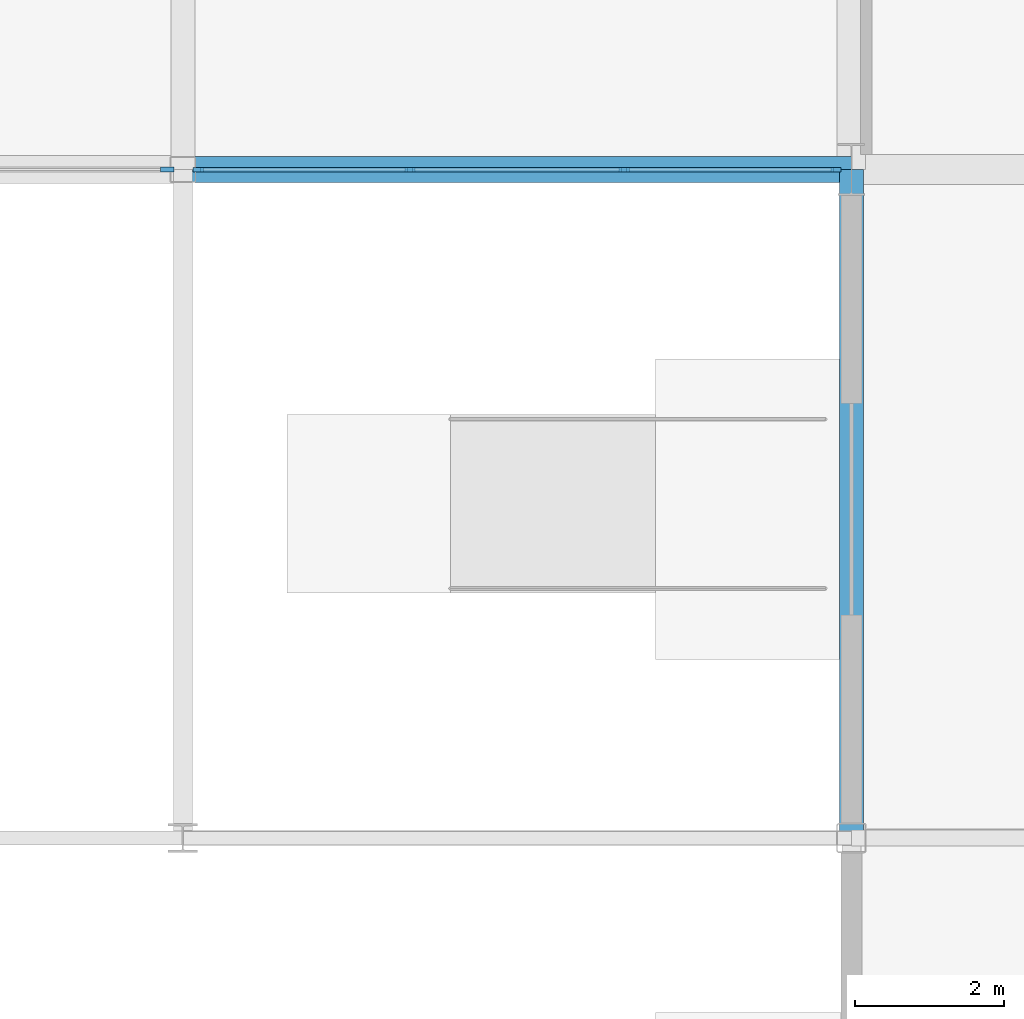
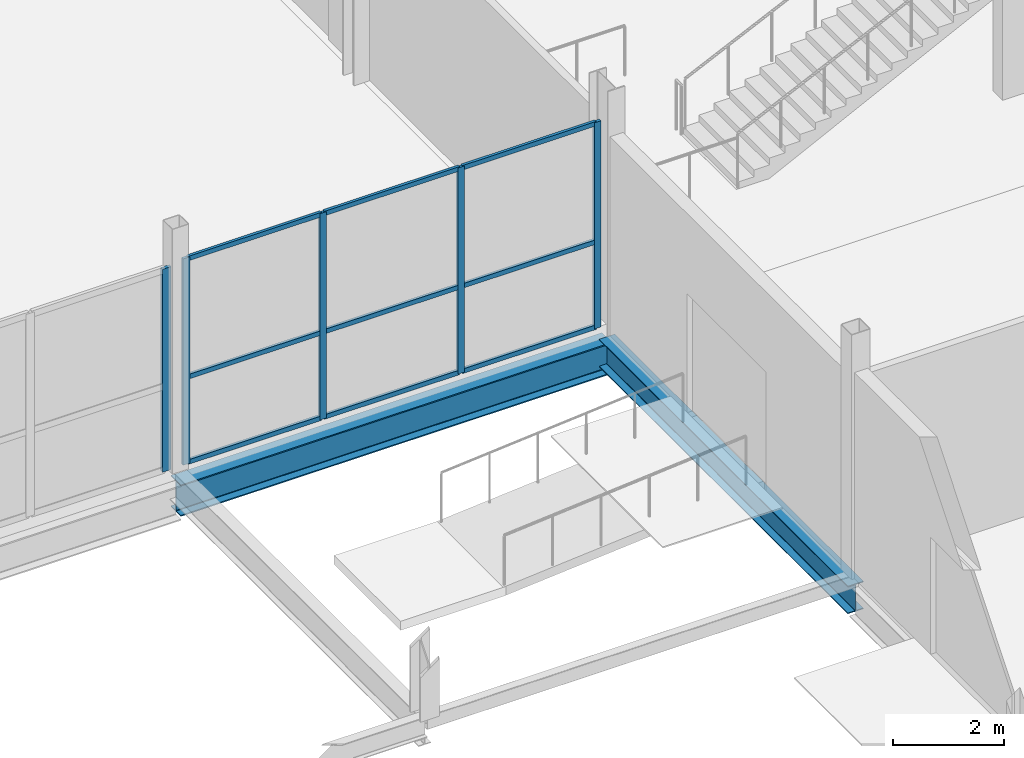
# One storey, part 31 of 94: 14 members, 2 beams, 2 elements without a shape of their own.
"""IFC4 building model written with IfcOpenShell, lengths in metres."""

from ifc_helpers import new_model, si_unit, direction, frame, origin, origin_2d, place, context, subcontext, project, spatial, rectangle, i_section, extrude, material, layer, layer_set, material_profile, profile_set, type_object, element, aggregate, save


model = new_model("IFC4")

# Units and contexts
model_context = context("Model", 3, precision=1e-05, world=origin(), true_north=direction((0.0, 1.0)))
body_context = subcontext(model_context, "Body", "Model", "MODEL_VIEW")
ifc_project = project(units=[si_unit("LENGTHUNIT", "METRE"), si_unit("AREAUNIT", "SQUARE_METRE"), si_unit("VOLUMEUNIT", "CUBIC_METRE"), si_unit("PLANEANGLEUNIT", "RADIAN"), si_unit("MASSUNIT", "GRAM", prefix="KILO")], contexts=[model_context])

# Site, building, storey
site_placement = place(None, origin())
site = spatial("IfcSite", under=ifc_project, at=site_placement, CompositionType="ELEMENT")
building_placement = place(site_placement, origin())
building = spatial("IfcBuilding", under=site, at=building_placement, Name="Qamarlyn Nura Convention Centre", CompositionType="ELEMENT")
storey_placement = place(building_placement, origin())
storey = spatial("IfcBuildingStorey", under=building, at=storey_placement, Name="L00", CompositionType="ELEMENT", Elevation=0.0)

# Beams
ifc_material_1 = material(Name="Steel ASTM A992", Category="steel")
ifc_material_profile_1 = material_profile(ifc_material_1, i_section(OverallWidth=0.323974609375, OverallDepth=0.611083984375, WebThickness=0.0126953125, FlangeThickness=0.01904296875, FilletRadius=0.01611328125, at=origin_2d()), Name="W610X155")
ifc_profile_set_1 = profile_set([ifc_material_profile_1], Name="Steel ASTM A992")
beam_type_1 = type_object("IfcBeamType", Name="BM-GIRD-610", PredefinedType="BEAM", material=ifc_profile_set_1)
beam_1_placement = place(storey_placement, frame((153.0, 18.0, -0.58544921875), z_axis=(0.0, 1.0, 0.0), x_axis=(-1.0, 0.0, 0.0)))
element("IfcBeam", 1, at=beam_1_placement, inside=storey, type_object=beam_type_1, Name="L00 girder 13 C-D", PredefinedType="BEAM", context=body_context, shape_type="SweptSolid", body=[
    extrude(i_section(OverallWidth=0.323974609375, OverallDepth=0.611083984375, WebThickness=0.0126953125, FlangeThickness=0.01904296875, FilletRadius=0.01611328125, at=origin_2d()), origin(), (0.0, 0.0, 1.0), 9.0),
])
ifc_material_profile_2 = material_profile(ifc_material_1, i_section(OverallWidth=0.35498046875, OverallDepth=0.695068359375, WebThickness=0.015380859375, FlangeThickness=0.02490234375, FilletRadius=0.01806640625, at=origin_2d()), Name="W690X217")
ifc_profile_set_2 = profile_set([ifc_material_profile_2], Name="Steel ASTM A992")
beam_type_2 = type_object("IfcBeamType", Name="BM-GIRD-690A", PredefinedType="BEAM", material=ifc_profile_set_2)
beam_2_placement = place(storey_placement, frame((144.0, 27.0, -0.6474609375), z_axis=(1.0, 0.0, 0.0), x_axis=(0.0, 1.0, 0.0)))
element("IfcBeam", 2, at=beam_2_placement, inside=storey, type_object=beam_type_2, Name="L00 girder D 12-13", PredefinedType="BEAM", context=body_context, shape_type="SweptSolid", body=[
    extrude(i_section(OverallWidth=0.35498046875, OverallDepth=0.695068359375, WebThickness=0.015380859375, FlangeThickness=0.02490234375, FilletRadius=0.01806640625, at=origin_2d()), origin(), (0.0, 0.0, 1.0), 9.0),
])

# Curtain wall, members
ifc_material_2 = material(Name="Double-silver low-E insulated glass", Category="glass")
ifc_layer_1 = layer(ifc_material_2, 0.179931640625, Name="CW-UNIT-59")
ifc_layer_set_1 = layer_set([ifc_layer_1], Name="Double-silver low-E insulated glass")
curtain_wall_type_1 = type_object("IfcCurtainWallType", Name="CW-UNIT-59", PredefinedType="NOTDEFINED", material=ifc_layer_set_1)
curtain_wall_1_placement = place(storey_placement, origin())
curtain_wall_1 = element("IfcCurtainWall", 3, at=curtain_wall_1_placement, inside=storey, type_object=curtain_wall_type_1, Name="L00 unitised curtain wall WSS-L00-1", PredefinedType="NOTDEFINED")
ifc_material_3 = material(Name="Champagne-anodised marine aluminium", Category="aluminium")
ifc_material_profile_3 = material_profile(ifc_material_3, rectangle(XDim=0.06005859375, YDim=0.139892578125, at=origin_2d()), Name="ALU MULLION 60x140")
ifc_profile_set_3 = profile_set([ifc_material_profile_3], Name="Champagne-anodised marine aluminium")
member_type_1 = type_object("IfcMemberType", Name="CWM-140", PredefinedType="MULLION", material=ifc_profile_set_3)
member_1_placement = place(storey_placement, frame((152.79248046875, 27.0, 0.0), z_axis=(0.0, 0.0, 1.0), x_axis=(0.0, -1.0, 0.0)))
member_1 = element("IfcMember", 4, at=member_1_placement, type_object=member_type_1, Name="CW59 mullion 1", PredefinedType="MULLION", context=body_context, shape_type="SweptSolid", body=[
    extrude(rectangle(XDim=0.06005859375, YDim=0.139892578125, at=origin_2d()), origin(), (0.0, 0.0, 1.0), 4.553955078125),
])
member_2_placement = place(storey_placement, frame((149.93994140625, 27.0, 0.0), z_axis=(0.0, 0.0, 1.0), x_axis=(0.0, -1.0, 0.0)))
member_2 = element("IfcMember", 5, at=member_2_placement, type_object=member_type_1, Name="CW59 mullion 2", PredefinedType="MULLION", context=body_context, shape_type="SweptSolid", body=[
    extrude(rectangle(XDim=0.06005859375, YDim=0.139892578125, at=origin_2d()), origin(), (0.0, 0.0, 1.0), 4.553955078125),
])
member_3_placement = place(storey_placement, frame((147.0576171875, 27.0, 0.0), z_axis=(0.0, 0.0, 1.0), x_axis=(0.0, -1.0, 0.0)))
member_3 = element("IfcMember", 6, at=member_3_placement, type_object=member_type_1, Name="CW59 mullion 3", PredefinedType="MULLION", context=body_context, shape_type="SweptSolid", body=[
    extrude(rectangle(XDim=0.06005859375, YDim=0.139892578125, at=origin_2d()), origin(), (0.0, 0.0, 1.0), 4.553955078125),
])
member_4_placement = place(storey_placement, frame((144.205078125, 27.0, 0.0), z_axis=(0.0, 0.0, 1.0), x_axis=(0.0, -1.0, 0.0)))
member_4 = element("IfcMember", 7, at=member_4_placement, type_object=member_type_1, Name="CW59 mullion 4", PredefinedType="MULLION", context=body_context, shape_type="SweptSolid", body=[
    extrude(rectangle(XDim=0.06005859375, YDim=0.139892578125, at=origin_2d()), origin(), (0.0, 0.0, 1.0), 4.553955078125),
])

# Curtain wall, member
ifc_layer_2 = layer(ifc_material_2, 0.179931640625, Name="CW-UNIT-60")
ifc_layer_set_2 = layer_set([ifc_layer_2], Name="Double-silver low-E insulated glass")
curtain_wall_type_2 = type_object("IfcCurtainWallType", Name="CW-UNIT-60", PredefinedType="NOTDEFINED", material=ifc_layer_set_2)
curtain_wall_2_placement = place(storey_placement, origin())
curtain_wall_2 = element("IfcCurtainWall", 8, at=curtain_wall_2_placement, inside=storey, type_object=curtain_wall_type_2, Name="L00 unitised curtain wall WSS-L00-2", PredefinedType="NOTDEFINED")
ifc_material_profile_4 = material_profile(ifc_material_3, rectangle(XDim=0.070068359375, YDim=0.179931640625, at=origin_2d()), Name="ALU MULLION 70x180")
ifc_profile_set_4 = profile_set([ifc_material_profile_4], Name="Champagne-anodised marine aluminium")
member_type_2 = type_object("IfcMemberType", Name="CWM-180", PredefinedType="MULLION", material=ifc_profile_set_4)
member_5_placement = place(storey_placement, frame((143.7900390625, 27.0, 0.0), z_axis=(0.0, 0.0, 1.0), x_axis=(0.0, -1.0, 0.0)))
member_5 = element("IfcMember", 9, at=member_5_placement, type_object=member_type_2, Name="CW60 mullion 1", PredefinedType="MULLION", context=body_context, shape_type="SweptSolid", body=[
    extrude(rectangle(XDim=0.070068359375, YDim=0.179931640625, at=origin_2d()), origin(), (0.0, 0.0, 1.0), 4.48095703125),
])
aggregate(curtain_wall_2, [member_5])

# Member
ifc_material_profile_5 = material_profile(ifc_material_3, rectangle(XDim=0.06005859375, YDim=0.10009765625, at=origin_2d()), Name="ALU TRANSOM 60x100")
ifc_profile_set_5 = profile_set([ifc_material_profile_5], Name="Champagne-anodised marine aluminium")
member_type_3 = type_object("IfcMemberType", Name="CWT-100", PredefinedType="USERDEFINED", material=ifc_profile_set_5)
member_6_placement = place(storey_placement, frame((152.762451171875, 27.0, 0.030029296875), z_axis=(-1.0, 0.0, 0.0), x_axis=(0.0, -1.0, 0.0)))
member_6 = element("IfcMember", 10, at=member_6_placement, type_object=member_type_3, Name="CW59 transom 1.1", ObjectType="TRANSOM", PredefinedType="USERDEFINED", context=body_context, shape_type="SweptSolid", body=[
    extrude(rectangle(XDim=0.06005859375, YDim=0.10009765625, at=origin_2d()), origin(), (0.0, 0.0, 1.0), 2.79248046875),
])

member_7_placement = place(storey_placement, frame((152.762451171875, 27.0, 1.9130859375), z_axis=(-1.0, 0.0, 0.0), x_axis=(0.0, -1.0, 0.0)))
member_7 = element("IfcMember", 11, at=member_7_placement, type_object=member_type_3, Name="CW59 transom 1.2", ObjectType="TRANSOM", PredefinedType="USERDEFINED", context=body_context, shape_type="SweptSolid", body=[
    extrude(rectangle(XDim=0.06005859375, YDim=0.10009765625, at=origin_2d()), origin(), (0.0, 0.0, 1.0), 2.79248046875),
])

member_8_placement = place(storey_placement, frame((152.762451171875, 27.0, 4.52392578125), z_axis=(-1.0, 0.0, 0.0), x_axis=(0.0, -1.0, 0.0)))
member_8 = element("IfcMember", 12, at=member_8_placement, type_object=member_type_3, Name="CW59 transom 1.3", ObjectType="TRANSOM", PredefinedType="USERDEFINED", context=body_context, shape_type="SweptSolid", body=[
    extrude(rectangle(XDim=0.06005859375, YDim=0.10009765625, at=origin_2d()), origin(), (0.0, 0.0, 1.0), 2.79248046875),
])

member_9_placement = place(storey_placement, frame((149.909912109375, 27.0, 0.030029296875), z_axis=(-1.0, 0.0, 0.0), x_axis=(0.0, -1.0, 0.0)))
member_9 = element("IfcMember", 13, at=member_9_placement, type_object=member_type_3, Name="CW59 transom 2.1", ObjectType="TRANSOM", PredefinedType="USERDEFINED", context=body_context, shape_type="SweptSolid", body=[
    extrude(rectangle(XDim=0.06005859375, YDim=0.10009765625, at=origin_2d()), origin(), (0.0, 0.0, 1.0), 2.822509765625),
])

member_10_placement = place(storey_placement, frame((149.909912109375, 27.0, 1.9130859375), z_axis=(-1.0, 0.0, 0.0), x_axis=(0.0, -1.0, 0.0)))
member_10 = element("IfcMember", 14, at=member_10_placement, type_object=member_type_3, Name="CW59 transom 2.2", ObjectType="TRANSOM", PredefinedType="USERDEFINED", context=body_context, shape_type="SweptSolid", body=[
    extrude(rectangle(XDim=0.06005859375, YDim=0.10009765625, at=origin_2d()), origin(), (0.0, 0.0, 1.0), 2.822509765625),
])

member_11_placement = place(storey_placement, frame((149.909912109375, 27.0, 4.52392578125), z_axis=(-1.0, 0.0, 0.0), x_axis=(0.0, -1.0, 0.0)))
member_11 = element("IfcMember", 15, at=member_11_placement, type_object=member_type_3, Name="CW59 transom 2.3", ObjectType="TRANSOM", PredefinedType="USERDEFINED", context=body_context, shape_type="SweptSolid", body=[
    extrude(rectangle(XDim=0.06005859375, YDim=0.10009765625, at=origin_2d()), origin(), (0.0, 0.0, 1.0), 2.822509765625),
])

member_12_placement = place(storey_placement, frame((147.027587890625, 27.0, 0.030029296875), z_axis=(-1.0, 0.0, 0.0), x_axis=(0.0, -1.0, 0.0)))
member_12 = element("IfcMember", 16, at=member_12_placement, type_object=member_type_3, Name="CW59 transom 3.1", ObjectType="TRANSOM", PredefinedType="USERDEFINED", context=body_context, shape_type="SweptSolid", body=[
    extrude(rectangle(XDim=0.06005859375, YDim=0.10009765625, at=origin_2d()), origin(), (0.0, 0.0, 1.0), 2.79248046875),
])

member_13_placement = place(storey_placement, frame((147.027587890625, 27.0, 1.9130859375), z_axis=(-1.0, 0.0, 0.0), x_axis=(0.0, -1.0, 0.0)))
member_13 = element("IfcMember", 17, at=member_13_placement, type_object=member_type_3, Name="CW59 transom 3.2", ObjectType="TRANSOM", PredefinedType="USERDEFINED", context=body_context, shape_type="SweptSolid", body=[
    extrude(rectangle(XDim=0.06005859375, YDim=0.10009765625, at=origin_2d()), origin(), (0.0, 0.0, 1.0), 2.79248046875),
])

member_14_placement = place(storey_placement, frame((147.027587890625, 27.0, 4.52392578125), z_axis=(-1.0, 0.0, 0.0), x_axis=(0.0, -1.0, 0.0)))
member_14 = element("IfcMember", 18, at=member_14_placement, type_object=member_type_3, Name="CW59 transom 3.3", ObjectType="TRANSOM", PredefinedType="USERDEFINED", context=body_context, shape_type="SweptSolid", body=[
    extrude(rectangle(XDim=0.06005859375, YDim=0.10009765625, at=origin_2d()), origin(), (0.0, 0.0, 1.0), 2.79248046875),
])

aggregate(curtain_wall_1, [member_1, member_2, member_3, member_4, member_6, member_7, member_8, member_9, member_10, member_11, member_12, member_13, member_14])

save(model, "model.ifc")
